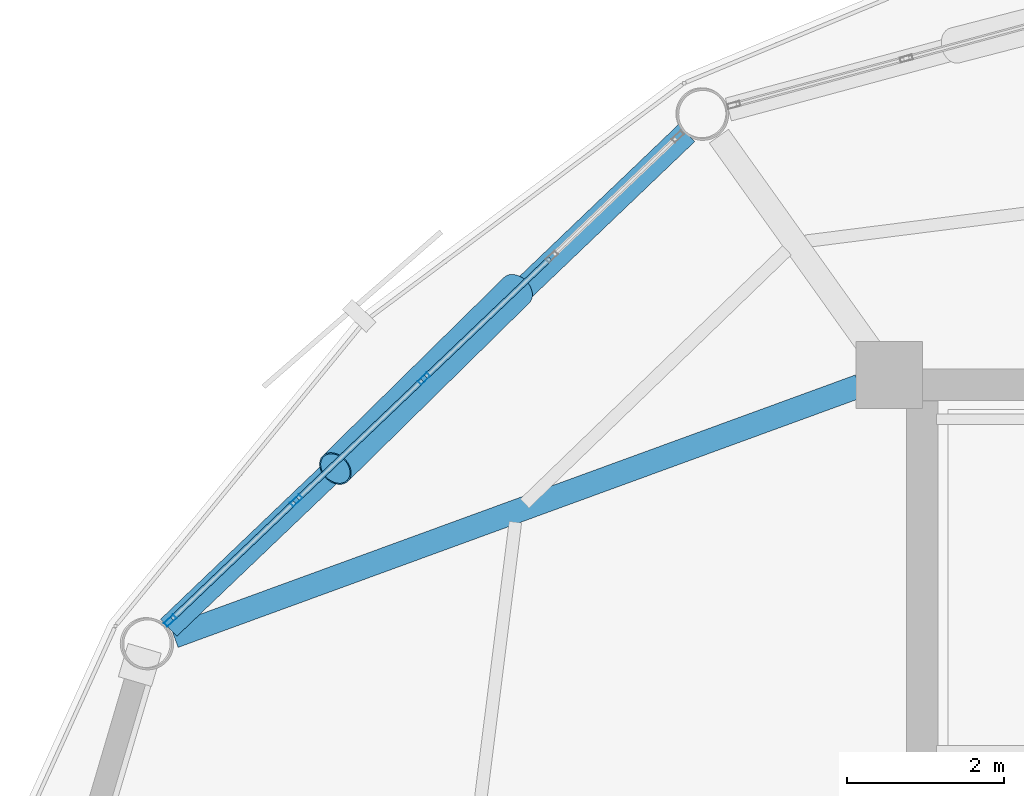
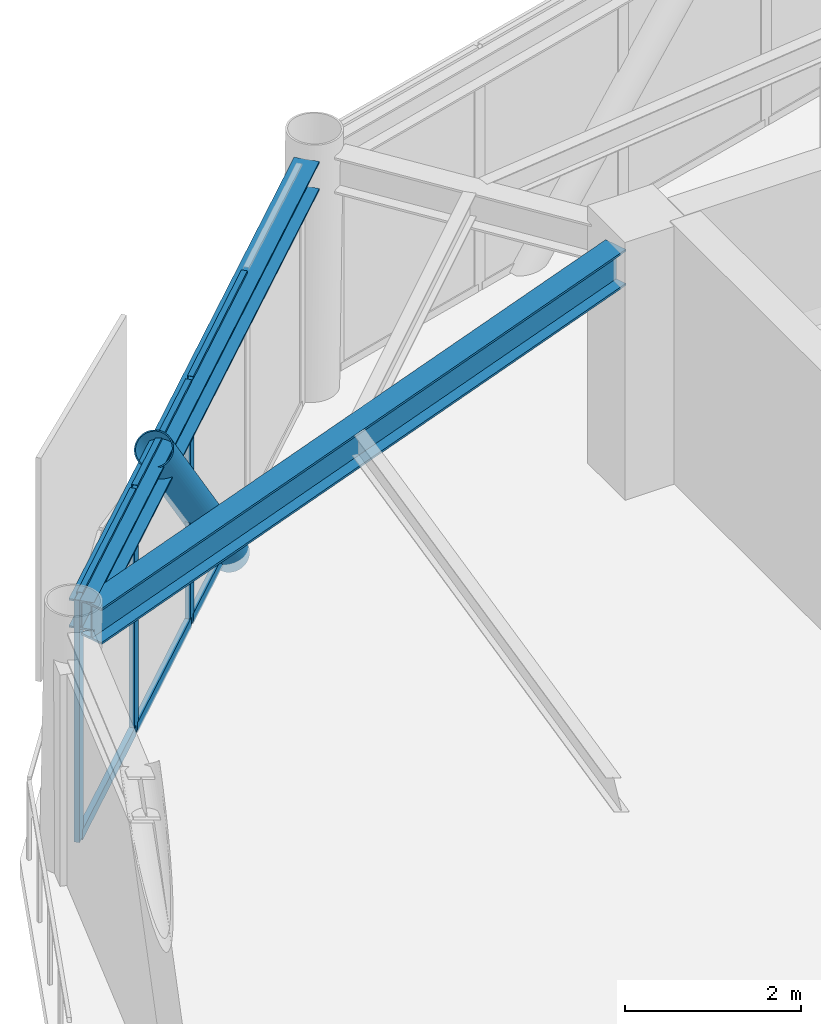
# One storey, part 13 of 28: 10 members, 2 beams, 1 element without a shape of its own.
"""IFC4 building model written with IfcOpenShell, lengths in metres."""

from ifc_helpers import new_model, si_unit, direction, frame, origin, origin_2d, place, context, subcontext, project, spatial, hollow_rectangle, hollow_circle, i_section, extrude, material, layer, layer_set, material_profile, profile_set, type_object, element, aggregate, save


model = new_model("IFC4")

# Units and contexts
model_context = context("Model", 3, precision=1e-05, world=origin(), true_north=direction((0.0, 1.0)))
body_context = subcontext(model_context, "Body", "Model", "MODEL_VIEW")
ifc_project = project(units=[si_unit("LENGTHUNIT", "METRE"), si_unit("AREAUNIT", "SQUARE_METRE"), si_unit("VOLUMEUNIT", "CUBIC_METRE"), si_unit("PLANEANGLEUNIT", "RADIAN"), si_unit("MASSUNIT", "GRAM", prefix="KILO")], contexts=[model_context])

# Site, building, storey
site_placement = place(None, origin())
site = spatial("IfcSite", under=ifc_project, at=site_placement, CompositionType="ELEMENT")
building_placement = place(site_placement, origin())
building = spatial("IfcBuilding", under=site, at=building_placement, Name="Varnakorn Sky Granary", CompositionType="ELEMENT")
storey_placement = place(building_placement, frame((0.0, 0.0, 196.800048828125)))
storey = spatial("IfcBuildingStorey", under=building, at=storey_placement, Name="L49", CompositionType="ELEMENT", Elevation=196.800048828125)

# Beams
ifc_material_1 = material(Name="Steel S355JR", Category="steel")
ifc_material_profile_1 = material_profile(ifc_material_1, i_section(OverallWidth=0.300048828125, OverallDepth=0.5, WebThickness=0.014404296875, FlangeThickness=0.028076171875, at=origin_2d()), Name="HE 500 B")
ifc_profile_set_1 = profile_set([ifc_material_profile_1], Name="Steel S355JR")
beam_type_1 = type_object("IfcBeamType", Name="BM-RAD-Z4", PredefinedType="BEAM", material=ifc_profile_set_1)
beam_1_placement = place(storey_placement, frame((-2.80029296875, 12.48095703125, 3.10986328125), z_axis=(-0.939307806626, -0.343075566621, 0.0), x_axis=(0.343075566621, -0.939307806626, 0.0)))
element("IfcBeam", 1, at=beam_1_placement, inside=storey, type_object=beam_type_1, Name="Radial Floor Girder RG06 L49", PredefinedType="BEAM", context=body_context, shape_type="SweptSolid", body=[
    extrude(i_section(OverallWidth=0.300048828125, OverallDepth=0.5, WebThickness=0.014404296875, FlangeThickness=0.028076171875, at=origin_2d()), origin(), (0.0, 0.0, 1.0), 9.2802734375),
])
ifc_material_profile_2 = material_profile(ifc_material_1, i_section(OverallWidth=0.300048828125, OverallDepth=0.39990234375, WebThickness=0.013427734375, FlangeThickness=0.02392578125, at=origin_2d()), Name="HE 400 B")
ifc_profile_set_2 = profile_set([ifc_material_profile_2], Name="Steel S355JR")
beam_type_2 = type_object("IfcBeamType", Name="BM-SPD-Z4", PredefinedType="SPANDREL", material=ifc_profile_set_2)
beam_2_placement = place(storey_placement, frame((-4.998291015625, 15.6982421875, 3.159912109375), z_axis=(-0.723135849748, -0.69070582943, 0.0), x_axis=(0.69070582943, -0.723135849748, 0.0)))
element("IfcBeam", 2, at=beam_2_placement, inside=storey, type_object=beam_type_2, Name="Perimeter Spandrel Ring Beam RB05 L49", PredefinedType="SPANDREL", context=body_context, shape_type="SweptSolid", body=[
    extrude(i_section(OverallWidth=0.300048828125, OverallDepth=0.39990234375, WebThickness=0.013427734375, FlangeThickness=0.02392578125, at=origin_2d()), origin(), (0.0, 0.0, 1.0), 9.109130859375),
])

# Curtain wall, members
ifc_material_2 = material(Name="Anodised Bronze Aluminium Alloy 6063-T6", Category="aluminium")
ifc_layer = layer(ifc_material_2, 0.169921875, Name="Anodised Bronze Aluminium Alloy 6063-T6")
ifc_layer_set = layer_set([ifc_layer], Name="Anodised Bronze Aluminium Alloy 6063-T6")
curtain_wall_type = type_object("IfcCurtainWallType", Name="CW-LAB-1", PredefinedType="USERDEFINED", material=ifc_layer_set)
curtain_wall_placement = place(storey_placement, origin())
curtain_wall = element("IfcCurtainWall", 3, at=curtain_wall_placement, inside=storey, type_object=curtain_wall_type, Name="Unitised Curtain Wall CW5 CW-L49-B05", ObjectType="CURTAIN WALL", PredefinedType="USERDEFINED")
ifc_material_profile_3 = material_profile(ifc_material_2, hollow_rectangle(XDim=0.06494140625, YDim=0.159912109375, WallThickness=0.00341796875, at=origin_2d()), Name="ALU MULL 65x160")
ifc_profile_set_3 = profile_set([ifc_material_profile_3], Name="Anodised Bronze Aluminium Alloy 6063-T6")
member_type_1 = type_object("IfcMemberType", Name="CW-LAB-1-MULL", PredefinedType="MULLION", material=ifc_profile_set_3)
member_1_placement = place(storey_placement, frame((-11.56640625, 9.49755859375, 0.0), z_axis=(0.0, 0.0, 1.0), x_axis=(-0.690097158605, 0.723716734424, 0.0)))
member_1 = element("IfcMember", 4, at=member_1_placement, type_object=member_type_1, Name="CW5 mullion 1", PredefinedType="MULLION", context=body_context, shape_type="SweptSolid", body=[
    extrude(hollow_rectangle(XDim=0.06494140625, YDim=0.159912109375, WallThickness=0.00341796875, at=origin_2d()), origin(), (0.0, 0.0, 1.0), 3.35986328125),
])
member_2_placement = place(storey_placement, frame((-9.964111328125, 11.025390625, 0.0), z_axis=(0.0, 0.0, 1.0), x_axis=(-0.690097158605, 0.723716734424, 0.0)))
member_2 = element("IfcMember", 5, at=member_2_placement, type_object=member_type_1, Name="CW5 mullion 2", PredefinedType="MULLION", context=body_context, shape_type="SweptSolid", body=[
    extrude(hollow_rectangle(XDim=0.06494140625, YDim=0.159912109375, WallThickness=0.00341796875, at=origin_2d()), origin(), (0.0, 0.0, 1.0), 3.35986328125),
])
member_3_placement = place(storey_placement, frame((-8.33837890625, 12.57568359375, 0.0), z_axis=(0.0, 0.0, 1.0), x_axis=(-0.690097158605, 0.723716734424, 0.0)))
member_3 = element("IfcMember", 6, at=member_3_placement, type_object=member_type_1, Name="CW5 mullion 3", PredefinedType="MULLION", context=body_context, shape_type="SweptSolid", body=[
    extrude(hollow_rectangle(XDim=0.06494140625, YDim=0.159912109375, WallThickness=0.00341796875, at=origin_2d()), origin(), (0.0, 0.0, 1.0), 3.35986328125),
])
ifc_material_profile_4 = material_profile(ifc_material_2, hollow_rectangle(XDim=0.070068359375, YDim=0.139892578125, WallThickness=0.00341796875, at=origin_2d()), Name="ALU TRAN 70x140")
ifc_profile_set_4 = profile_set([ifc_material_profile_4], Name="Anodised Bronze Aluminium Alloy 6063-T6")
member_type_2 = type_object("IfcMemberType", Name="CW-LAB-1-TRAN", PredefinedType="USERDEFINED", material=ifc_profile_set_4)
member_4_placement = place(storey_placement, frame((-11.54296875, 9.52001953125, 0.034912109375), z_axis=(0.72377580902, 0.690035200752, 0.0), x_axis=(-0.690035200752, 0.72377580902, 0.0)))
member_4 = element("IfcMember", 7, at=member_4_placement, type_object=member_type_2, Name="CW5 transom 1.1", ObjectType="TRANSOM", PredefinedType="USERDEFINED", context=body_context, shape_type="SweptSolid", body=[
    extrude(hollow_rectangle(XDim=0.070068359375, YDim=0.139892578125, WallThickness=0.00341796875, at=origin_2d()), origin(), (0.0, 0.0, 1.0), 2.14892578125),
])
member_5_placement = place(storey_placement, frame((-11.54296875, 9.52001953125, 3.324951171875), z_axis=(0.72377580902, 0.690035200752, 0.0), x_axis=(-0.690035200752, 0.72377580902, 0.0)))
member_5 = element("IfcMember", 8, at=member_5_placement, type_object=member_type_2, Name="CW5 transom 1.2", ObjectType="TRANSOM", PredefinedType="USERDEFINED", context=body_context, shape_type="SweptSolid", body=[
    extrude(hollow_rectangle(XDim=0.070068359375, YDim=0.139892578125, WallThickness=0.00341796875, at=origin_2d()), origin(), (0.0, 0.0, 1.0), 2.14892578125),
])
member_6_placement = place(storey_placement, frame((-9.940673828125, 11.0478515625, 0.034912109375), z_axis=(0.723749243544, 0.690063064125, 0.0), x_axis=(-0.690063064125, 0.723749243544, 0.0)))
member_6 = element("IfcMember", 9, at=member_6_placement, type_object=member_type_2, Name="CW5 transom 2.1", ObjectType="TRANSOM", PredefinedType="USERDEFINED", context=body_context, shape_type="SweptSolid", body=[
    extrude(hollow_rectangle(XDim=0.070068359375, YDim=0.139892578125, WallThickness=0.00341796875, at=origin_2d()), origin(), (0.0, 0.0, 1.0), 2.181396484375),
])
member_7_placement = place(storey_placement, frame((-9.940673828125, 11.0478515625, 3.324951171875), z_axis=(0.723749243544, 0.690063064125, 0.0), x_axis=(-0.690063064125, 0.723749243544, 0.0)))
member_7 = element("IfcMember", 10, at=member_7_placement, type_object=member_type_2, Name="CW5 transom 2.2", ObjectType="TRANSOM", PredefinedType="USERDEFINED", context=body_context, shape_type="SweptSolid", body=[
    extrude(hollow_rectangle(XDim=0.070068359375, YDim=0.139892578125, WallThickness=0.00341796875, at=origin_2d()), origin(), (0.0, 0.0, 1.0), 2.181396484375),
])
member_8_placement = place(storey_placement, frame((-8.314697265625, 12.59814453125, 0.034912109375), z_axis=(0.72369594497, 0.690118960205, 0.0), x_axis=(-0.690118960205, 0.72369594497, 0.0)))
member_8 = element("IfcMember", 11, at=member_8_placement, type_object=member_type_2, Name="CW5 transom 3.1", ObjectType="TRANSOM", PredefinedType="USERDEFINED", context=body_context, shape_type="SweptSolid", body=[
    extrude(hollow_rectangle(XDim=0.070068359375, YDim=0.139892578125, WallThickness=0.00341796875, at=origin_2d()), origin(), (0.0, 0.0, 1.0), 2.181396484375),
])
member_9_placement = place(storey_placement, frame((-8.314697265625, 12.59814453125, 3.324951171875), z_axis=(0.72369594497, 0.690118960205, 0.0), x_axis=(-0.690118960205, 0.72369594497, 0.0)))
member_9 = element("IfcMember", 12, at=member_9_placement, type_object=member_type_2, Name="CW5 transom 3.2", ObjectType="TRANSOM", PredefinedType="USERDEFINED", context=body_context, shape_type="SweptSolid", body=[
    extrude(hollow_rectangle(XDim=0.070068359375, YDim=0.139892578125, WallThickness=0.00341796875, at=origin_2d()), origin(), (0.0, 0.0, 1.0), 2.181396484375),
])
aggregate(curtain_wall, [member_1, member_2, member_3, member_4, member_5, member_6, member_7, member_8, member_9])

# Member
ifc_material_3 = material(Name="Steel S460M", Category="steel")
ifc_material_profile_5 = material_profile(ifc_material_3, hollow_circle(Radius=0.228515625, WallThickness=0.01611328125, at=origin_2d()), Name="CHS 457x16")
ifc_profile_set_5 = profile_set([ifc_material_profile_5], Name="Steel S460M")
member_type_3 = type_object("IfcMemberType", Name="MB-DIAG-T3", PredefinedType="BRACE", material=ifc_profile_set_5)
member_10_placement = place(storey_placement, frame((-7.160400390625, 13.698974609375, -0.130126953125), z_axis=(-0.474905544768, -0.467159786041, 0.745805911652), x_axis=(0.701269172447, -0.712896589819, 0.0)))
element("IfcMember", 13, at=member_10_placement, inside=storey, type_object=member_type_3, Name="Perimeter CHS Diagrid Brace DG05 L49", PredefinedType="BRACE", context=body_context, shape_type="SweptSolid", body=[
    extrude(hollow_circle(Radius=0.228515625, WallThickness=0.01611328125, at=origin_2d()), origin(), (0.0, 0.0, 1.0), 4.85400390625),
])

save(model, "model.ifc")
